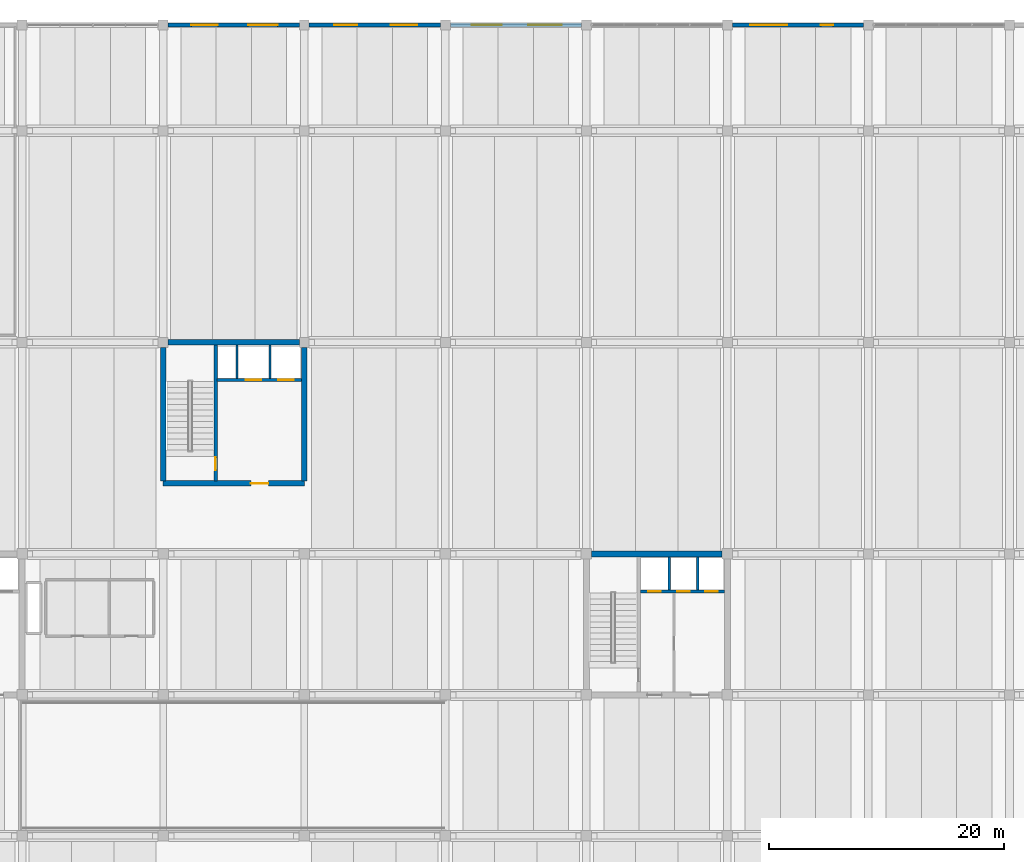
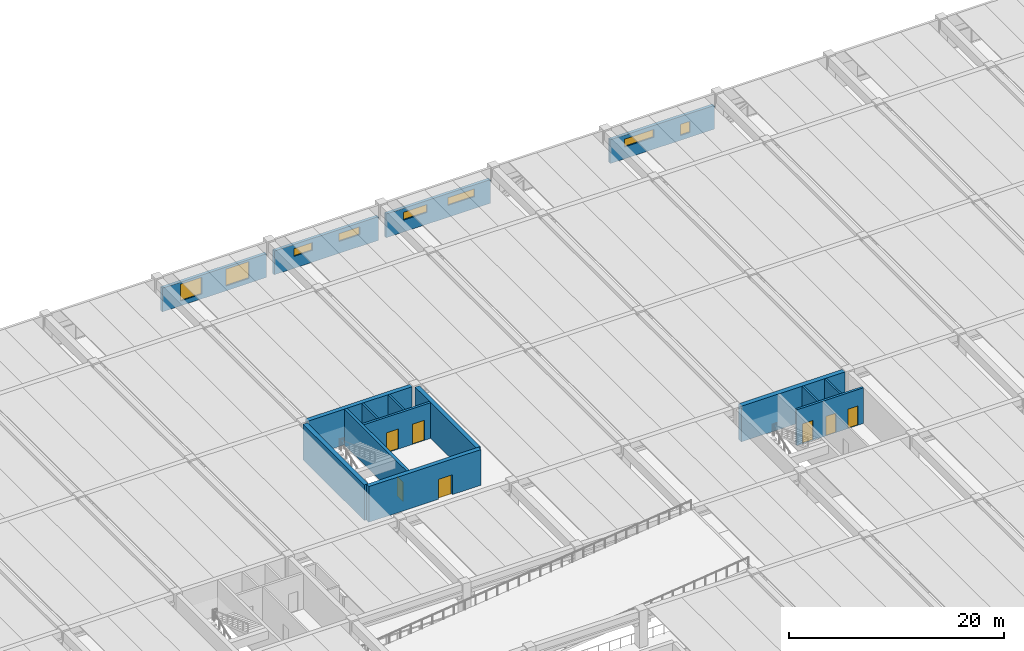
# One storey, part 38 of 50: 16 walls, 8 windows, 7 doors, 15 openings.
"""IFC4 building model written with IfcOpenShell, lengths in metres."""

from ifc_helpers import new_model, si_unit, direction, frame, frame_2d, origin, place, context, subcontext, project, spatial, rectangle, extrude, material, layer, layer_set, type_object, element, fill, save


model = new_model("IFC4")

# Units and contexts
model_context = context("Model", 3, precision=1e-05, world=origin(), true_north=direction((0.0, 1.0)))
body_context = subcontext(model_context, "Body", "Model", "MODEL_VIEW")
ifc_project = project(units=[si_unit("LENGTHUNIT", "METRE"), si_unit("AREAUNIT", "SQUARE_METRE"), si_unit("VOLUMEUNIT", "CUBIC_METRE"), si_unit("PLANEANGLEUNIT", "RADIAN"), si_unit("MASSUNIT", "GRAM", prefix="KILO")], contexts=[model_context])

# Site, building, storey
site_placement = place(None, origin())
site = spatial("IfcSite", under=ifc_project, at=site_placement, CompositionType="ELEMENT")
building_placement = place(site_placement, origin())
building = spatial("IfcBuilding", under=site, at=building_placement, Name="Girod Span Mobility Hub", CompositionType="ELEMENT")
storey_placement = place(building_placement, frame((0.0, 0.0, 5.39990234375)))
storey = spatial("IfcBuildingStorey", under=building, at=storey_placement, Name="L01", CompositionType="ELEMENT", Elevation=5.39990234375)

# Wall, opening, door
ifc_material_1 = material(Name="Concrete C40/50", Category="concrete")
ifc_layer_1 = layer(ifc_material_1, 0.449951171875)
ifc_layer_set_1 = layer_set([ifc_layer_1], Name="Concrete C40/50")
wall_type_1 = type_object("IfcWallType", Name="W-CW-450", PredefinedType="SHEAR", material=ifc_layer_set_1)
wall_1_placement = place(storey_placement, frame((72.0, 75.0, 0.0), z_axis=(0.0, 0.0, 1.0), x_axis=(1.0, 0.0, 0.0)))
wall_1 = element("IfcWall", 1, at=wall_1_placement, inside=storey, type_object=wall_type_1, Name="Core C4 Shear Wall S L01", PredefinedType="SHEAR", context=body_context, shape_type="SweptSolid", body=[
    extrude(rectangle(XDim=12.0, YDim=0.449951171875, at=frame_2d((6.0, 0.0))), origin(), (0.0, 0.0, 1.0), 4.043212890625),
])
opening_1_placement = place(wall_1_placement, frame((7.449951171875, 0.0, 0.0)))
opening_1 = element("IfcOpeningElement", 2, at=opening_1_placement, cuts=wall_1, Name="Opening D-LB-C4-L01", PredefinedType="OPENING", context=body_context, shape_type="SweptSolid", body=[
    extrude(rectangle(XDim=1.5, YDim=2.25, at=frame_2d((0.75, 1.125))), frame((0.0, 0.239990234375, 0.0), z_axis=(0.0, -1.0, 0.0), x_axis=(1.0, 0.0, 0.0)), (0.0, 0.0, 1.0), 0.47998046875),
])
ifc_material_2 = material(Name="Fire-Rated Insulated Hollow Metal Steel", Category="steel")
door_type_1 = type_object("IfcDoorType", Name="DT-FD-03", OperationType="DOUBLE_DOOR_SINGLE_SWING", PredefinedType="DOOR", material=ifc_material_2)
door_1_placement = place(opening_1_placement, origin())
door_1 = element("IfcDoor", 3, at=door_1_placement, inside=storey, type_object=door_type_1, Name="Core C4 Cargo Lift Lobby Door L01", OperationType="DOUBLE_DOOR_SINGLE_SWING", OverallHeight=2.25, OverallWidth=1.5, PredefinedType="DOOR", context=body_context, shape_type="SweptSolid", body=[
    extrude(rectangle(XDim=1.5, YDim=2.25, at=frame_2d((0.75, 1.125))), frame((0.0, 0.02490234375, 0.0), z_axis=(0.0, -1.0, 0.0), x_axis=(1.0, 0.0, 0.0)), (0.0, 0.0, 1.0), 0.050048828125),
])
fill(opening_1, door_1)

# Walls
wall_2_placement = place(storey_placement, frame((72.422119140625, 87.0, 0.0), z_axis=(0.0, 0.0, 1.0), x_axis=(1.0, 0.0, 0.0)))
element("IfcWall", 4, at=wall_2_placement, inside=storey, type_object=wall_type_1, Name="Core C4 Shear Wall N L01", PredefinedType="SHEAR", context=body_context, shape_type="SweptSolid", body=[
    extrude(rectangle(XDim=11.15576171875, YDim=0.449951171875, at=frame_2d((5.577880859375, 0.0))), origin(), (0.0, 0.0, 1.0), 4.043212890625),
])
for number, where, z_axis, x_axis, name in (
    (5, (72.0, 75.221923828125, 0.0), (0.0, 0.0, 1.0), (0.0, 1.0, 0.0), "Core C4 Shear Wall W L01"),
    (6, (84.0, 75.221923828125, 0.0), (0.0, 0.0, 1.0), (0.0, 1.0, 0.0), "Core C4 Shear Wall E L01"),
):
    element("IfcWall", number, at=place(storey_placement, frame(where, z_axis=z_axis, x_axis=x_axis)), inside=storey, type_object=wall_type_1, Name=name, PredefinedType="SHEAR", context=body_context, shape_type="SweptSolid", body=[
        extrude(rectangle(XDim=11.35595703125, YDim=0.449951171875, at=frame_2d((5.677978515625, 0.0))), origin(), (0.0, 0.0, 1.0), 4.043212890625),
    ])
ifc_material_3 = material(Name="Concrete C40/50", Category="concrete")
ifc_layer_2 = layer(ifc_material_3, 0.5)
ifc_layer_set_2 = layer_set([ifc_layer_2], Name="Concrete C40/50")
wall_type_2 = type_object("IfcWallType", Name="W-CW-500", PredefinedType="SHEAR", material=ifc_layer_set_2)
wall_3_placement = place(storey_placement, frame((108.447021484375, 69.0, 0.0), z_axis=(0.0, 0.0, 1.0), x_axis=(1.0, 0.0, 0.0)))
element("IfcWall", 7, at=wall_3_placement, inside=storey, type_object=wall_type_2, Name="Core C2 Shear Wall N L01", PredefinedType="SHEAR", context=body_context, shape_type="SweptSolid", body=[
    extrude(rectangle(XDim=11.10595703125, YDim=0.5, at=frame_2d((5.552978515625, 0.0))), origin(), (0.0, 0.0, 1.0), 4.043212890625),
])

# Wall, openings, windows
ifc_material_4 = material(Name="Precast Architectural Concrete C40/50", Category="concrete")
ifc_layer_3 = layer(ifc_material_4, 0.320068359375)
ifc_layer_set_3 = layer_set([ifc_layer_3], Name="Precast Architectural Concrete C40/50")
wall_type_3 = type_object("IfcWallType", Name="W-EXT-320", PredefinedType="SOLIDWALL", material=ifc_layer_set_3)
wall_4_placement = place(storey_placement, frame((72.423095703125, 114.0, 0.0), z_axis=(0.0, 0.0, 1.0), x_axis=(1.0, 0.0, 0.0)))
wall_4 = element("IfcWall", 8, at=wall_4_placement, inside=storey, type_object=wall_type_3, Name="Exterior Insulated Precast Wall N-7 L01", PredefinedType="SOLIDWALL", context=body_context, shape_type="SweptSolid", body=[
    extrude(rectangle(XDim=11.15380859375, YDim=0.320068359375, at=frame_2d((5.576904296875, 0.0))), origin(), (0.0, 0.0, 1.0), 2.690185546875),
])
opening_2_placement = place(wall_4_placement, frame((1.969970703125, 0.0, 0.550048828125)))
opening_2 = element("IfcOpeningElement", 9, at=opening_2_placement, cuts=wall_4, Name="Opening W-L01-N06A", PredefinedType="OPENING", context=body_context, shape_type="SweptSolid", body=[
    extrude(rectangle(XDim=2.260009765625, YDim=1.89990234375, at=frame_2d((1.1298828125, 0.949951171875))), frame((0.0, 0.175048828125, 0.0), z_axis=(0.0, -1.0, 0.0), x_axis=(1.0, 0.0, 0.0)), (0.0, 0.0, 1.0), 0.35009765625),
])
opening_3_placement = place(wall_4_placement, frame((6.803955078125, 0.0, 0.550048828125)))
opening_3 = element("IfcOpeningElement", 10, at=opening_3_placement, cuts=wall_4, Name="Opening W-L01-N06B", PredefinedType="OPENING", context=body_context, shape_type="SweptSolid", body=[
    extrude(rectangle(XDim=2.5, YDim=1.89990234375, at=frame_2d((1.25, 0.949951171875))), frame((0.0, 0.175048828125, 0.0), z_axis=(0.0, -1.0, 0.0), x_axis=(1.0, 0.0, 0.0)), (0.0, 0.0, 1.0), 0.35009765625),
])
ifc_material_5 = material(Name="Double Low-E Insulated Glazing", Category="glass")
window_type_1 = type_object("IfcWindowType", Name="WN-42", PartitioningType="DOUBLE_PANEL_VERTICAL", PredefinedType="WINDOW", material=ifc_material_5)
window_1_placement = place(opening_2_placement, origin())
window_1 = element("IfcWindow", 11, at=window_1_placement, inside=storey, type_object=window_type_1, Name="Gallery Window WN-42", OverallHeight=1.89990234375, OverallWidth=2.260009765625, PartitioningType="DOUBLE_PANEL_VERTICAL", PredefinedType="WINDOW", context=body_context, shape_type="SweptSolid", body=[
    extrude(rectangle(XDim=2.260009765625, YDim=1.89990234375, at=frame_2d((1.1298828125, 0.949951171875))), frame((0.0, 0.030029296875, 0.0), z_axis=(0.0, -1.0, 0.0), x_axis=(1.0, 0.0, 0.0)), (0.0, 0.0, 1.0), 0.06005859375),
])
fill(opening_2, window_1)
ifc_material_6 = material(Name="Double Low-E Insulated Glazing", Category="glass")
window_type_2 = type_object("IfcWindowType", Name="WN-43", PartitioningType="DOUBLE_PANEL_VERTICAL", PredefinedType="WINDOW", material=ifc_material_6)
window_2_placement = place(opening_3_placement, origin())
window_2 = element("IfcWindow", 12, at=window_2_placement, inside=storey, type_object=window_type_2, Name="Gallery Window WN-43", OverallHeight=1.89990234375, OverallWidth=2.5, PartitioningType="DOUBLE_PANEL_VERTICAL", PredefinedType="WINDOW", context=body_context, shape_type="SweptSolid", body=[
    extrude(rectangle(XDim=2.5, YDim=1.89990234375, at=frame_2d((1.25, 0.949951171875))), frame((0.0, 0.030029296875, 0.0), z_axis=(0.0, -1.0, 0.0), x_axis=(1.0, 0.0, 0.0)), (0.0, 0.0, 1.0), 0.06005859375),
])
fill(opening_3, window_2)

wall_5_placement = place(storey_placement, frame((84.423095703125, 114.0, 0.0), z_axis=(0.0, 0.0, 1.0), x_axis=(1.0, 0.0, 0.0)))
wall_5 = element("IfcWall", 13, at=wall_5_placement, inside=storey, type_object=wall_type_3, Name="Exterior Insulated Precast Wall N-8 L01", PredefinedType="SOLIDWALL", context=body_context, shape_type="SweptSolid", body=[
    extrude(rectangle(XDim=11.15380859375, YDim=0.320068359375, at=frame_2d((5.576904296875, 0.0))), origin(), (0.0, 0.0, 1.0), 2.690185546875),
])
opening_4_placement = place(wall_5_placement, frame((2.125, 0.0, 1.35009765625)))
opening_4 = element("IfcOpeningElement", 14, at=opening_4_placement, cuts=wall_5, Name="Opening W-L01-N07A", PredefinedType="OPENING", context=body_context, shape_type="SweptSolid", body=[
    extrude(rectangle(XDim=1.949951171875, YDim=0.8798828125, at=frame_2d((0.97509765625, 0.43994140625))), frame((0.0, 0.175048828125, 0.0), z_axis=(0.0, -1.0, 0.0), x_axis=(1.0, 0.0, 0.0)), (0.0, 0.0, 1.0), 0.35009765625),
])
opening_5_placement = place(wall_5_placement, frame((6.928955078125, 0.0, 1.35009765625)))
opening_5 = element("IfcOpeningElement", 15, at=opening_5_placement, cuts=wall_5, Name="Opening W-L01-N07B", PredefinedType="OPENING", context=body_context, shape_type="SweptSolid", body=[
    extrude(rectangle(XDim=2.25, YDim=0.8798828125, at=frame_2d((1.125, 0.43994140625))), frame((0.0, 0.175048828125, 0.0), z_axis=(0.0, -1.0, 0.0), x_axis=(1.0, 0.0, 0.0)), (0.0, 0.0, 1.0), 0.35009765625),
])
ifc_material_7 = material(Name="Double Low-E Insulated Glazing", Category="glass")
window_type_3 = type_object("IfcWindowType", Name="WN-44", PartitioningType="DOUBLE_PANEL_VERTICAL", PredefinedType="USERDEFINED", material=ifc_material_7)
window_3_placement = place(opening_4_placement, origin())
window_3 = element("IfcWindow", 16, at=window_3_placement, inside=storey, type_object=window_type_3, Name="Gallery Window WN-44", ObjectType="TRANSOM LIGHT", OverallHeight=0.8798828125, OverallWidth=1.949951171875, PartitioningType="DOUBLE_PANEL_VERTICAL", PredefinedType="USERDEFINED", context=body_context, shape_type="SweptSolid", body=[
    extrude(rectangle(XDim=1.949951171875, YDim=0.8798828125, at=frame_2d((0.97509765625, 0.43994140625))), frame((0.0, 0.030029296875, 0.0), z_axis=(0.0, -1.0, 0.0), x_axis=(1.0, 0.0, 0.0)), (0.0, 0.0, 1.0), 0.06005859375),
])
fill(opening_4, window_3)
ifc_material_8 = material(Name="Double Low-E Insulated Glazing", Category="glass")
window_type_4 = type_object("IfcWindowType", Name="WN-45", PartitioningType="DOUBLE_PANEL_VERTICAL", PredefinedType="USERDEFINED", material=ifc_material_8)
window_4_placement = place(opening_5_placement, origin())
window_4 = element("IfcWindow", 17, at=window_4_placement, inside=storey, type_object=window_type_4, Name="Gallery Window WN-45", ObjectType="TRANSOM LIGHT", OverallHeight=0.8798828125, OverallWidth=2.25, PartitioningType="DOUBLE_PANEL_VERTICAL", PredefinedType="USERDEFINED", context=body_context, shape_type="SweptSolid", body=[
    extrude(rectangle(XDim=2.25, YDim=0.8798828125, at=frame_2d((1.125, 0.43994140625))), frame((0.0, 0.030029296875, 0.0), z_axis=(0.0, -1.0, 0.0), x_axis=(1.0, 0.0, 0.0)), (0.0, 0.0, 1.0), 0.06005859375),
])
fill(opening_5, window_4)

wall_6_placement = place(storey_placement, frame((96.423095703125, 114.0, 0.0), z_axis=(0.0, 0.0, 1.0), x_axis=(1.0, 0.0, 0.0)))
wall_6 = element("IfcWall", 18, at=wall_6_placement, inside=storey, type_object=wall_type_3, Name="Exterior Insulated Precast Wall N-9 L01", PredefinedType="SOLIDWALL", context=body_context, shape_type="SweptSolid", body=[
    extrude(rectangle(XDim=11.15380859375, YDim=0.320068359375, at=frame_2d((5.576904296875, 0.0))), origin(), (0.0, 0.0, 1.0), 2.690185546875),
])
opening_6_placement = place(wall_6_placement, frame((1.824951171875, 0.0, 1.35009765625)))
opening_6 = element("IfcOpeningElement", 19, at=opening_6_placement, cuts=wall_6, Name="Opening W-L01-N08A", PredefinedType="OPENING", context=body_context, shape_type="SweptSolid", body=[
    extrude(rectangle(XDim=2.550048828125, YDim=0.8798828125, at=frame_2d((1.27490234375, 0.43994140625))), frame((0.0, 0.175048828125, 0.0), z_axis=(0.0, -1.0, 0.0), x_axis=(1.0, 0.0, 0.0)), (0.0, 0.0, 1.0), 0.35009765625),
])
opening_7_placement = place(wall_6_placement, frame((6.62890625, 0.0, 1.35009765625)))
opening_7 = element("IfcOpeningElement", 20, at=opening_7_placement, cuts=wall_6, Name="Opening W-L01-N08B", PredefinedType="OPENING", context=body_context, shape_type="SweptSolid", body=[
    extrude(rectangle(XDim=2.85009765625, YDim=0.8798828125, at=frame_2d((1.425048828125, 0.43994140625))), frame((0.0, 0.175048828125, 0.0), z_axis=(0.0, -1.0, 0.0), x_axis=(1.0, 0.0, 0.0)), (0.0, 0.0, 1.0), 0.35009765625),
])
ifc_material_9 = material(Name="Double Low-E Insulated Glazing", Category="glass")
window_type_5 = type_object("IfcWindowType", Name="WN-46", PartitioningType="DOUBLE_PANEL_VERTICAL", PredefinedType="USERDEFINED", material=ifc_material_9)
window_5_placement = place(opening_6_placement, origin())
window_5 = element("IfcWindow", 21, at=window_5_placement, inside=storey, type_object=window_type_5, Name="Gallery Window WN-46", ObjectType="TRANSOM LIGHT", OverallHeight=0.8798828125, OverallWidth=2.550048828125, PartitioningType="DOUBLE_PANEL_VERTICAL", PredefinedType="USERDEFINED", context=body_context, shape_type="SweptSolid", body=[
    extrude(rectangle(XDim=2.550048828125, YDim=0.8798828125, at=frame_2d((1.27490234375, 0.43994140625))), frame((0.0, 0.030029296875, 0.0), z_axis=(0.0, -1.0, 0.0), x_axis=(1.0, 0.0, 0.0)), (0.0, 0.0, 1.0), 0.06005859375),
])
fill(opening_6, window_5)
ifc_material_10 = material(Name="Double Low-E Insulated Glazing", Category="glass")
window_type_6 = type_object("IfcWindowType", Name="WN-47", PartitioningType="DOUBLE_PANEL_VERTICAL", PredefinedType="USERDEFINED", material=ifc_material_10)
window_6_placement = place(opening_7_placement, origin())
window_6 = element("IfcWindow", 22, at=window_6_placement, inside=storey, type_object=window_type_6, Name="Gallery Window WN-47", ObjectType="TRANSOM LIGHT", OverallHeight=0.8798828125, OverallWidth=2.85009765625, PartitioningType="DOUBLE_PANEL_VERTICAL", PredefinedType="USERDEFINED", context=body_context, shape_type="SweptSolid", body=[
    extrude(rectangle(XDim=2.85009765625, YDim=0.8798828125, at=frame_2d((1.425048828125, 0.43994140625))), frame((0.0, 0.030029296875, 0.0), z_axis=(0.0, -1.0, 0.0), x_axis=(1.0, 0.0, 0.0)), (0.0, 0.0, 1.0), 0.06005859375),
])
fill(opening_7, window_6)

wall_7_placement = place(storey_placement, frame((120.423095703125, 114.0, 0.0), z_axis=(0.0, 0.0, 1.0), x_axis=(1.0, 0.0, 0.0)))
wall_7 = element("IfcWall", 23, at=wall_7_placement, inside=storey, type_object=wall_type_3, Name="Exterior Insulated Precast Wall N-11 L01", PredefinedType="SOLIDWALL", context=body_context, shape_type="SweptSolid", body=[
    extrude(rectangle(XDim=11.15380859375, YDim=0.320068359375, at=frame_2d((5.576904296875, 0.0))), origin(), (0.0, 0.0, 1.0), 2.690185546875),
])
opening_8_placement = place(wall_7_placement, frame((1.52490234375, 0.0, 1.35009765625)))
opening_8 = element("IfcOpeningElement", 24, at=opening_8_placement, cuts=wall_7, Name="Opening W-L01-N10A", PredefinedType="OPENING", context=body_context, shape_type="SweptSolid", body=[
    extrude(rectangle(XDim=3.14990234375, YDim=0.8798828125, at=frame_2d((1.574951171875, 0.43994140625))), frame((0.0, 0.175048828125, 0.0), z_axis=(0.0, -1.0, 0.0), x_axis=(1.0, 0.0, 0.0)), (0.0, 0.0, 1.0), 0.35009765625),
])
opening_9_placement = place(wall_7_placement, frame((7.529052734375, 0.0, 0.550048828125)))
opening_9 = element("IfcOpeningElement", 25, at=opening_9_placement, cuts=wall_7, Name="Opening W-L01-N10B", PredefinedType="OPENING", context=body_context, shape_type="SweptSolid", body=[
    extrude(rectangle(XDim=1.050048828125, YDim=1.25, at=frame_2d((0.52490234375, 0.625))), frame((0.0, 0.175048828125, 0.0), z_axis=(0.0, -1.0, 0.0), x_axis=(1.0, 0.0, 0.0)), (0.0, 0.0, 1.0), 0.35009765625),
])
ifc_material_11 = material(Name="Double Low-E Insulated Glazing", Category="glass")
window_type_7 = type_object("IfcWindowType", Name="WN-01", PartitioningType="SINGLE_PANEL", PredefinedType="WINDOW", material=ifc_material_11)
window_7_placement = place(opening_9_placement, origin())
window_7 = element("IfcWindow", 26, at=window_7_placement, inside=storey, type_object=window_type_7, Name="Gallery Window WN-01", OverallHeight=1.25, OverallWidth=1.050048828125, PartitioningType="SINGLE_PANEL", PredefinedType="WINDOW", context=body_context, shape_type="SweptSolid", body=[
    extrude(rectangle(XDim=1.050048828125, YDim=1.25, at=frame_2d((0.52490234375, 0.625))), frame((0.0, 0.030029296875, 0.0), z_axis=(0.0, -1.0, 0.0), x_axis=(1.0, 0.0, 0.0)), (0.0, 0.0, 1.0), 0.06005859375),
])
fill(opening_9, window_7)
ifc_material_12 = material(Name="Double Low-E Insulated Glazing", Category="glass")
window_type_8 = type_object("IfcWindowType", Name="WN-48", PartitioningType="DOUBLE_PANEL_VERTICAL", PredefinedType="USERDEFINED", material=ifc_material_12)
window_8_placement = place(opening_8_placement, origin())
window_8 = element("IfcWindow", 27, at=window_8_placement, inside=storey, type_object=window_type_8, Name="Gallery Window WN-48", ObjectType="TRANSOM LIGHT", OverallHeight=0.8798828125, OverallWidth=3.14990234375, PartitioningType="DOUBLE_PANEL_VERTICAL", PredefinedType="USERDEFINED", context=body_context, shape_type="SweptSolid", body=[
    extrude(rectangle(XDim=3.14990234375, YDim=0.8798828125, at=frame_2d((1.574951171875, 0.43994140625))), frame((0.0, 0.030029296875, 0.0), z_axis=(0.0, -1.0, 0.0), x_axis=(1.0, 0.0, 0.0)), (0.0, 0.0, 1.0), 0.06005859375),
])
fill(opening_8, window_8)

# Walls
ifc_material_13 = material(Name="Concrete C40/50", Category="concrete")
ifc_layer_4 = layer(ifc_material_13, 0.199951171875)
ifc_layer_set_4 = layer_set([ifc_layer_4], Name="Concrete C40/50")
wall_type_4 = type_object("IfcWallType", Name="W-SH-200", PredefinedType="SOLIDWALL", material=ifc_layer_set_4)
for number, where, z_axis, x_axis, name in (
    (28, (115.050048828125, 65.919921875, 0.0), (0.0, 0.0, 1.0), (0.0, 1.0, 0.0), "Core C2 Shaft Divider 1 L01"),
    (29, (117.47998046875, 65.919921875, 0.0), (0.0, 0.0, 1.0), (0.0, 1.0, 0.0), "Core C2 Shaft Divider 2 L01"),
):
    element("IfcWall", number, at=place(storey_placement, frame(where, z_axis=z_axis, x_axis=x_axis)), inside=storey, type_object=wall_type_4, Name=name, PredefinedType="SOLIDWALL", context=body_context, shape_type="SweptSolid", body=[
        extrude(rectangle(XDim=2.830078125, YDim=0.199951171875, at=frame_2d((1.4150390625, 0.0))), origin(), (0.0, 0.0, 1.0), 4.033203125),
    ])
for number, where, z_axis, x_axis, name in (
    (30, (78.280029296875, 83.919921875, 0.0), (0.0, 0.0, 1.0), (0.0, 1.0, 0.0), "Core C4 Shaft Divider 1 L01"),
    (31, (81.080078125, 83.919921875, 0.0), (0.0, 0.0, 1.0), (0.0, 1.0, 0.0), "Core C4 Shaft Divider 2 L01"),
):
    element("IfcWall", number, at=place(storey_placement, frame(where, z_axis=z_axis, x_axis=x_axis)), inside=storey, type_object=wall_type_4, Name=name, PredefinedType="SOLIDWALL", context=body_context, shape_type="SweptSolid", body=[
        extrude(rectangle(XDim=2.85498046875, YDim=0.199951171875, at=frame_2d((1.427490234375, 0.0))), origin(), (0.0, 0.0, 1.0), 4.033203125),
    ])

# Wall, openings, doors
ifc_material_14 = material(Name="Concrete C40/50", Category="concrete")
ifc_layer_5 = layer(ifc_material_14, 0.25)
ifc_layer_set_5 = layer_set([ifc_layer_5], Name="Concrete C40/50")
wall_type_5 = type_object("IfcWallType", Name="W-SH-250", PredefinedType="SOLIDWALL", material=ifc_layer_set_5)
wall_8_placement = place(storey_placement, frame((112.596923828125, 65.800048828125, 0.0), z_axis=(0.0, 0.0, 1.0), x_axis=(1.0, 0.0, 0.0)))
wall_8 = element("IfcWall", 32, at=wall_8_placement, inside=storey, type_object=wall_type_5, Name="Core C2 Hoistway Front Wall L01", PredefinedType="SOLIDWALL", context=body_context, shape_type="SweptSolid", body=[
    extrude(rectangle(XDim=7.156005859375, YDim=0.25, at=frame_2d((3.578125, 0.0))), origin(), (0.0, 0.0, 1.0), 4.043212890625),
])
opening_10_placement = place(wall_8_placement, frame((0.653076171875, 0.0, 0.0)))
opening_10 = element("IfcOpeningElement", 33, at=opening_10_placement, cuts=wall_8, Name="Opening LD-FL-2-L01", PredefinedType="OPENING", context=body_context, shape_type="SweptSolid", body=[
    extrude(rectangle(XDim=1.10009765625, YDim=2.239990234375, at=frame_2d((0.550048828125, 1.1201171875))), frame((0.0, 0.139892578125, 0.0), z_axis=(0.0, -1.0, 0.0), x_axis=(1.0, 0.0, 0.0)), (0.0, 0.0, 1.0), 0.280029296875),
])
opening_11_placement = place(wall_8_placement, frame((3.153076171875, 0.0, 0.0)))
opening_11 = element("IfcOpeningElement", 34, at=opening_11_placement, cuts=wall_8, Name="Opening LD-LP-3-L01", PredefinedType="OPENING", context=body_context, shape_type="SweptSolid", body=[
    extrude(rectangle(XDim=1.050048828125, YDim=2.199951171875, at=frame_2d((0.52490234375, 1.10009765625))), frame((0.0, 0.139892578125, 0.0), z_axis=(0.0, -1.0, 0.0), x_axis=(1.0, 0.0, 0.0)), (0.0, 0.0, 1.0), 0.280029296875),
])
opening_12_placement = place(wall_8_placement, frame((5.528076171875, 0.0, 0.0)))
opening_12 = element("IfcOpeningElement", 35, at=opening_12_placement, cuts=wall_8, Name="Opening LD-LP-4-L01", PredefinedType="OPENING", context=body_context, shape_type="SweptSolid", body=[
    extrude(rectangle(XDim=1.050048828125, YDim=2.199951171875, at=frame_2d((0.52490234375, 1.10009765625))), frame((0.0, 0.139892578125, 0.0), z_axis=(0.0, -1.0, 0.0), x_axis=(1.0, 0.0, 0.0)), (0.0, 0.0, 1.0), 0.280029296875),
])
ifc_material_15 = material(Name="Brushed Stainless Steel Grade 304", Category="steel")
door_type_2 = type_object("IfcDoorType", Name="LD-FL-110", OperationType="SLIDING_TO_LEFT", PredefinedType="USERDEFINED", material=ifc_material_15)
door_2_placement = place(opening_10_placement, origin())
door_2 = element("IfcDoor", 36, at=door_2_placement, inside=storey, type_object=door_type_2, Name="Lift FL-2 Sliding Landing Door L01", ObjectType="LANDING DOOR", OperationType="SLIDING_TO_LEFT", OverallHeight=2.239990234375, OverallWidth=1.10009765625, PredefinedType="USERDEFINED", context=body_context, shape_type="SweptSolid", body=[
    extrude(rectangle(XDim=1.10009765625, YDim=2.239990234375, at=frame_2d((0.550048828125, 1.1201171875))), frame((0.0, 0.02490234375, 0.0), z_axis=(0.0, -1.0, 0.0), x_axis=(1.0, 0.0, 0.0)), (0.0, 0.0, 1.0), 0.050048828125),
])
fill(opening_10, door_2)
ifc_material_16 = material(Name="Brushed Stainless Steel Grade 304", Category="steel")
door_type_3 = type_object("IfcDoorType", Name="LD-LP-105", OperationType="SLIDING_TO_LEFT", PredefinedType="USERDEFINED", material=ifc_material_16)
door_3_placement = place(opening_11_placement, origin())
door_3 = element("IfcDoor", 37, at=door_3_placement, inside=storey, type_object=door_type_3, Name="Lift LP-3 Sliding Landing Door L01", ObjectType="LANDING DOOR", OperationType="SLIDING_TO_LEFT", OverallHeight=2.199951171875, OverallWidth=1.050048828125, PredefinedType="USERDEFINED", context=body_context, shape_type="SweptSolid", body=[
    extrude(rectangle(XDim=1.050048828125, YDim=2.199951171875, at=frame_2d((0.52490234375, 1.10009765625))), frame((0.0, 0.02490234375, 0.0), z_axis=(0.0, -1.0, 0.0), x_axis=(1.0, 0.0, 0.0)), (0.0, 0.0, 1.0), 0.050048828125),
])
fill(opening_11, door_3)
door_4_placement = place(opening_12_placement, origin())
door_4 = element("IfcDoor", 38, at=door_4_placement, inside=storey, type_object=door_type_3, Name="Lift LP-4 Sliding Landing Door L01", ObjectType="LANDING DOOR", OperationType="SLIDING_TO_LEFT", OverallHeight=2.199951171875, OverallWidth=1.050048828125, PredefinedType="USERDEFINED", context=body_context, shape_type="SweptSolid", body=[
    extrude(rectangle(XDim=1.050048828125, YDim=2.199951171875, at=frame_2d((0.52490234375, 1.10009765625))), frame((0.0, 0.02490234375, 0.0), z_axis=(0.0, -1.0, 0.0), x_axis=(1.0, 0.0, 0.0)), (0.0, 0.0, 1.0), 0.050048828125),
])
fill(opening_12, door_4)

wall_9_placement = place(storey_placement, frame((76.596923828125, 83.800048828125, 0.0), z_axis=(0.0, 0.0, 1.0), x_axis=(1.0, 0.0, 0.0)))
wall_9 = element("IfcWall", 39, at=wall_9_placement, inside=storey, type_object=wall_type_5, Name="Core C4 Hoistway Front Wall L01", PredefinedType="SOLIDWALL", context=body_context, shape_type="SweptSolid", body=[
    extrude(rectangle(XDim=7.18115234375, YDim=0.25, at=frame_2d((3.590576171875, 0.0))), origin(), (0.0, 0.0, 1.0), 4.043212890625),
])
opening_13_placement = place(wall_9_placement, frame((2.43310546875, 0.0, 0.0)))
opening_13 = element("IfcOpeningElement", 40, at=opening_13_placement, cuts=wall_9, Name="Opening LD-LB-1-L01", PredefinedType="OPENING", context=body_context, shape_type="SweptSolid", body=[
    extrude(rectangle(XDim=1.300048828125, YDim=2.280029296875, at=frame_2d((0.64990234375, 1.14013671875))), frame((0.0, 0.139892578125, 0.0), z_axis=(0.0, -1.0, 0.0), x_axis=(1.0, 0.0, 0.0)), (0.0, 0.0, 1.0), 0.280029296875),
])
opening_14_placement = place(wall_9_placement, frame((5.202880859375, 0.0, 0.0)))
opening_14 = element("IfcOpeningElement", 41, at=opening_14_placement, cuts=wall_9, Name="Opening LD-LB-2-L01", PredefinedType="OPENING", context=body_context, shape_type="SweptSolid", body=[
    extrude(rectangle(XDim=1.300048828125, YDim=2.280029296875, at=frame_2d((0.64990234375, 1.14013671875))), frame((0.0, 0.139892578125, 0.0), z_axis=(0.0, -1.0, 0.0), x_axis=(1.0, 0.0, 0.0)), (0.0, 0.0, 1.0), 0.280029296875),
])
ifc_material_17 = material(Name="Brushed Stainless Steel Grade 304", Category="steel")
door_type_4 = type_object("IfcDoorType", Name="LD-LB-130", OperationType="SLIDING_TO_LEFT", PredefinedType="USERDEFINED", material=ifc_material_17)
door_5_placement = place(opening_13_placement, origin())
door_5 = element("IfcDoor", 42, at=door_5_placement, inside=storey, type_object=door_type_4, Name="Lift LB-1 Sliding Landing Door L01", ObjectType="LANDING DOOR", OperationType="SLIDING_TO_LEFT", OverallHeight=2.280029296875, OverallWidth=1.300048828125, PredefinedType="USERDEFINED", context=body_context, shape_type="SweptSolid", body=[
    extrude(rectangle(XDim=1.300048828125, YDim=2.280029296875, at=frame_2d((0.64990234375, 1.14013671875))), frame((0.0, 0.02490234375, 0.0), z_axis=(0.0, -1.0, 0.0), x_axis=(1.0, 0.0, 0.0)), (0.0, 0.0, 1.0), 0.050048828125),
])
fill(opening_13, door_5)
door_6_placement = place(opening_14_placement, origin())
door_6 = element("IfcDoor", 43, at=door_6_placement, inside=storey, type_object=door_type_4, Name="Lift LB-2 Sliding Landing Door L01", ObjectType="LANDING DOOR", OperationType="SLIDING_TO_LEFT", OverallHeight=2.280029296875, OverallWidth=1.300048828125, PredefinedType="USERDEFINED", context=body_context, shape_type="SweptSolid", body=[
    extrude(rectangle(XDim=1.300048828125, YDim=2.280029296875, at=frame_2d((0.64990234375, 1.14013671875))), frame((0.0, 0.02490234375, 0.0), z_axis=(0.0, -1.0, 0.0), x_axis=(1.0, 0.0, 0.0)), (0.0, 0.0, 1.0), 0.050048828125),
])
fill(opening_14, door_6)

# Wall, opening, door
ifc_material_18 = material(Name="Concrete C40/50", Category="concrete")
ifc_layer_6 = layer(ifc_material_18, 0.300048828125)
ifc_layer_set_6 = layer_set([ifc_layer_6], Name="Concrete C40/50")
wall_type_6 = type_object("IfcWallType", Name="W-SH-300", PredefinedType="SHEAR", material=ifc_layer_set_6)
wall_10_placement = place(storey_placement, frame((76.449951171875, 75.221923828125, 0.0), z_axis=(0.0, 0.0, 1.0), x_axis=(0.0, 1.0, 0.0)))
wall_10 = element("IfcWall", 44, at=wall_10_placement, inside=storey, type_object=wall_type_6, Name="Core C4 Stairwell Spine Wall L01", PredefinedType="SHEAR", context=body_context, shape_type="SweptSolid", body=[
    extrude(rectangle(XDim=11.55615234375, YDim=0.300048828125, at=frame_2d((5.778076171875, 0.0))), origin(), (0.0, 0.0, 1.0), 4.043212890625),
])
opening_15_placement = place(wall_10_placement, frame((0.89990234375, 0.0, 0.0)))
opening_15 = element("IfcOpeningElement", 45, at=opening_15_placement, cuts=wall_10, Name="Opening D-ST-4-L01", PredefinedType="OPENING", context=body_context, shape_type="SweptSolid", body=[
    extrude(rectangle(XDim=1.10009765625, YDim=2.199951171875, at=frame_2d((0.550048828125, 1.10009765625))), frame((0.0, 0.1650390625, 0.0), z_axis=(0.0, -1.0, 0.0), x_axis=(1.0, 0.0, 0.0)), (0.0, 0.0, 1.0), 0.330078125),
])
ifc_material_19 = material(Name="Fire-Rated Insulated Hollow Metal Steel", Category="steel")
door_type_5 = type_object("IfcDoorType", Name="DT-FD-01", OperationType="NOTDEFINED", PredefinedType="DOOR", material=ifc_material_19)
door_7_placement = place(opening_15_placement, origin())
door_7 = element("IfcDoor", 46, at=door_7_placement, inside=storey, type_object=door_type_5, Name="Stair ST-4 Fire Door L01", OperationType="SINGLE_SWING_LEFT", OverallHeight=2.199951171875, OverallWidth=1.10009765625, PredefinedType="DOOR", context=body_context, shape_type="SweptSolid", body=[
    extrude(rectangle(XDim=1.10009765625, YDim=2.199951171875, at=frame_2d((0.550048828125, 1.10009765625))), frame((0.0, 0.02490234375, 0.0), z_axis=(0.0, -1.0, 0.0), x_axis=(1.0, 0.0, 0.0)), (0.0, 0.0, 1.0), 0.050048828125),
])
fill(opening_15, door_7)

save(model, "model.ifc")
